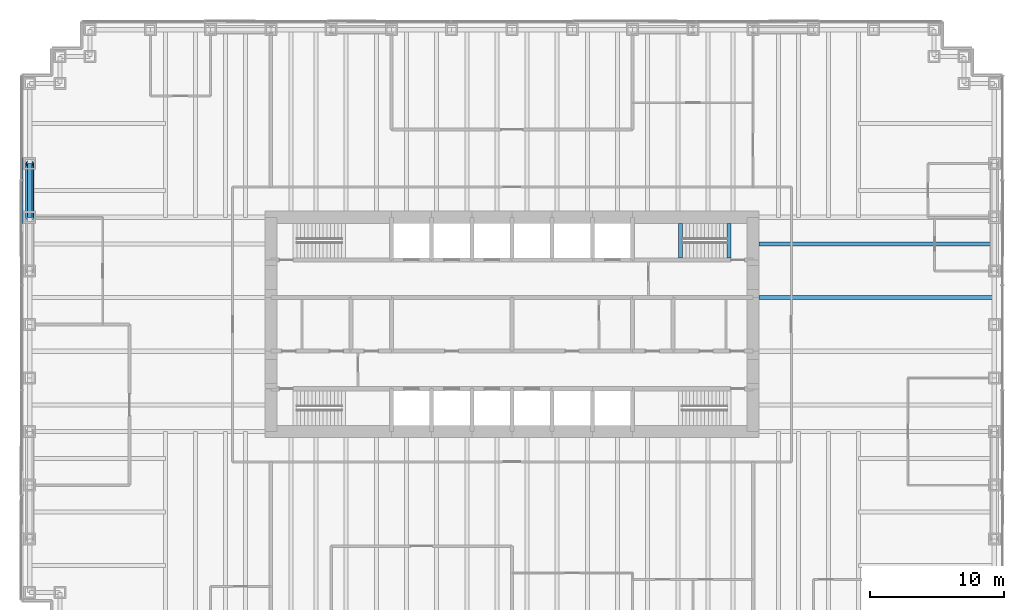
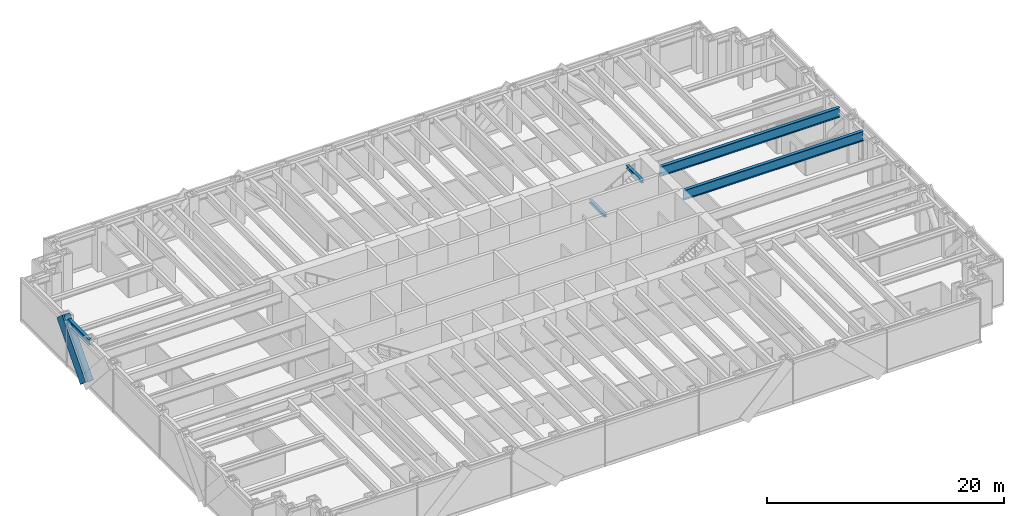
# One storey, part 4 of 13: 5 beams, 2 members, 1 element without a shape of its own.
"""IFC4 building model written with IfcOpenShell, lengths in metres."""

from ifc_helpers import new_model, si_unit, direction, frame, origin, origin_2d, place, context, subcontext, project, spatial, rectangle, hollow_circle, i_section, extrude, material, material_profile, profile_set, type_object, element, aggregate, save


model = new_model("IFC4")

# Units and contexts
model_context = context("Model", 3, precision=1e-05, world=origin(), true_north=direction((0.0, 1.0)))
body_context = subcontext(model_context, "Body", "Model", "MODEL_VIEW")
ifc_project = project(units=[si_unit("LENGTHUNIT", "METRE"), si_unit("AREAUNIT", "SQUARE_METRE"), si_unit("VOLUMEUNIT", "CUBIC_METRE"), si_unit("PLANEANGLEUNIT", "RADIAN"), si_unit("MASSUNIT", "GRAM", prefix="KILO")], contexts=[model_context])

# Site, building, storey
site_placement = place(None, origin())
site = spatial("IfcSite", under=ifc_project, at=site_placement, CompositionType="ELEMENT")
building_placement = place(site_placement, origin())
building = spatial("IfcBuilding", under=site, at=building_placement, Name="Rheinbord Bourse Tower", CompositionType="ELEMENT")
storey_placement = place(building_placement, frame((0.0, 0.0, 72.5)))
storey = spatial("IfcBuildingStorey", under=building, at=storey_placement, Name="L15", CompositionType="ELEMENT", Elevation=72.5)

# Curtain wall, member
ifc_material_1 = material(Name="Dark glass and black aluminium", Category="aluminium")
curtain_wall_type = type_object("IfcCurtainWallType", Name="CW1 DARK GLASS CURTAIN WALL", PredefinedType="USERDEFINED", material=ifc_material_1)
curtain_wall_placement = place(storey_placement, origin())
curtain_wall = element("IfcCurtainWall", 1, at=curtain_wall_placement, inside=storey, type_object=curtain_wall_type, Name="Curtain wall CW1 W L15", ObjectType="UNITISED CURTAIN WALL", PredefinedType="USERDEFINED")
ifc_material_2 = material(Name="Black anodised aluminium", Category="aluminium")
ifc_material_profile_1 = material_profile(ifc_material_2, rectangle(XDim=0.179931640625, YDim=1.2099609375, at=origin_2d()), Name="CW1 DIAGONAL MULLION 1210x180")
ifc_profile_set_1 = profile_set([ifc_material_profile_1], Name="Black anodised aluminium")
member_type_1 = type_object("IfcMemberType", Name="CW1 BLACK DIAGONAL MULLION", PredefinedType="USERDEFINED", material=ifc_profile_set_1)
member_1_placement = place(storey_placement, frame((-0.60009765625, 32.0, 0.0), z_axis=(0.0, 0.66436383883, 0.747409318684), x_axis=(-1.0, 0.0, 0.0)))
member_1 = element("IfcMember", 2, at=member_1_placement, type_object=member_type_1, Name="CW1 diagonal mullion b", ObjectType="DIAGONAL MULLION", PredefinedType="USERDEFINED", context=body_context, shape_type="SweptSolid", body=[
    extrude(rectangle(XDim=0.179931640625, YDim=1.2099609375, at=origin_2d()), origin(), (0.0, 0.0, 1.0), 6.020751953125),
])
aggregate(curtain_wall, [member_1])

# Beams
ifc_material_3 = material(Name="Steel S460", Category="steel")
ifc_material_profile_2 = material_profile(ifc_material_3, i_section(OverallWidth=0.302001953125, OverallDepth=1.008056640625, WebThickness=0.02099609375, FlangeThickness=0.0400390625, at=origin_2d()), Name="HEM 1000")
ifc_profile_set_2 = profile_set([ifc_material_profile_2], Name="Steel S460")
beam_type_1 = type_object("IfcBeamType", Name="END BEAM HEM 1000", PredefinedType="BEAM", material=ifc_profile_set_2)
for number, where, z_axis, x_axis, name in (
    (3, (54.449951171875, 26.0, 3.81591796875), (1.0, 0.0, 0.0), (0.0, 1.0, 0.0), "End beam east 26 L16"),
    (4, (54.449951171875, 30.0, 3.81591796875), (1.0, 0.0, 0.0), (0.0, 1.0, 0.0), "End beam east 30 L16"),
):
    element("IfcBeam", number, at=place(storey_placement, frame(where, z_axis=z_axis, x_axis=x_axis)), inside=storey, type_object=beam_type_1, Name=name, PredefinedType="BEAM", context=body_context, shape_type="SweptSolid", body=[
        extrude(i_section(OverallWidth=0.302001953125, OverallDepth=1.008056640625, WebThickness=0.02099609375, FlangeThickness=0.0400390625, at=origin_2d()), origin(), (0.0, 0.0, 1.0), 17.550048828125),
    ])
ifc_material_4 = material(Name="Steel S460", Category="steel")
ifc_material_profile_3 = material_profile(ifc_material_4, i_section(OverallWidth=0.300048828125, OverallDepth=0.300048828125, WebThickness=0.010986328125, FlangeThickness=0.01904296875, at=origin_2d()), Name="HEB 300")
ifc_profile_set_3 = profile_set([ifc_material_profile_3], Name="Steel S460")
beam_type_2 = type_object("IfcBeamType", Name="LANDING TRIMMER HEB 300", PredefinedType="BEAM", material=ifc_profile_set_3)
for number, where, z_axis, x_axis, name in (
    (5, (48.590087890625, 28.949951171875, 1.89990234375), (0.0, 1.0, 0.0), (-1.0, 0.0, 0.0), "Landing trimmer ST4 L15"),
    (6, (52.199951171875, 28.949951171875, 4.169921875), (0.0, 1.0, 0.0), (-1.0, 0.0, 0.0), "Well trimmer ST4 under L16"),
):
    element("IfcBeam", number, at=place(storey_placement, frame(where, z_axis=z_axis, x_axis=x_axis)), inside=storey, type_object=beam_type_2, Name=name, PredefinedType="BEAM", context=body_context, shape_type="SweptSolid", body=[
        extrude(i_section(OverallWidth=0.300048828125, OverallDepth=0.300048828125, WebThickness=0.010986328125, FlangeThickness=0.01904296875, at=origin_2d()), origin(), (0.0, 0.0, 1.0), 2.60009765625),
    ])

# Member
ifc_material_5 = material(Name="Steel S460", Category="steel")
ifc_material_profile_4 = material_profile(ifc_material_5, hollow_circle(Radius=0.304931640625, WallThickness=0.050048828125, at=origin_2d()), Name="CHS 610x50")
ifc_profile_set_4 = profile_set([ifc_material_profile_4], Name="Steel S460")
member_type_2 = type_object("IfcMemberType", Name="MEGABRACE CHS 610x50", PredefinedType="BRACE", material=ifc_profile_set_4)
member_2_placement = place(storey_placement, frame((0.0, 32.0, 0.0), z_axis=(0.0, 0.66436383883, 0.747409318684), x_axis=(-1.0, 0.0, 0.0)))
element("IfcMember", 7, at=member_2_placement, inside=storey, type_object=member_type_2, Name="Megabrace W face line b L15", PredefinedType="BRACE", context=body_context, shape_type="SweptSolid", body=[
    extrude(hollow_circle(Radius=0.304931640625, WallThickness=0.050048828125, at=origin_2d()), origin(), (0.0, 0.0, 1.0), 6.020751953125),
])

# Beam
ifc_material_6 = material(Name="Steel S460", Category="steel")
ifc_material_profile_5 = material_profile(ifc_material_6, i_section(OverallWidth=0.304931640625, OverallDepth=0.6201171875, WebThickness=0.02099609375, FlangeThickness=0.0400390625, at=origin_2d()), Name="HEM 600")
ifc_profile_set_5 = profile_set([ifc_material_profile_5], Name="Steel S460")
beam_type_3 = type_object("IfcBeamType", Name="SPANDREL HEM 600", PredefinedType="SPANDREL", material=ifc_profile_set_5)
beam_placement = place(storey_placement, frame((0.0, 36.0, 4.010009765625), z_axis=(0.0, -1.0, 0.0), x_axis=(1.0, 0.0, 0.0)))
element("IfcBeam", 8, at=beam_placement, inside=storey, type_object=beam_type_3, Name="Spandrel W-36-W-32 under L16", PredefinedType="SPANDREL", context=body_context, shape_type="SweptSolid", body=[
    extrude(i_section(OverallWidth=0.304931640625, OverallDepth=0.6201171875, WebThickness=0.02099609375, FlangeThickness=0.0400390625, at=origin_2d()), origin(), (0.0, 0.0, 1.0), 4.0),
])

save(model, "model.ifc")
